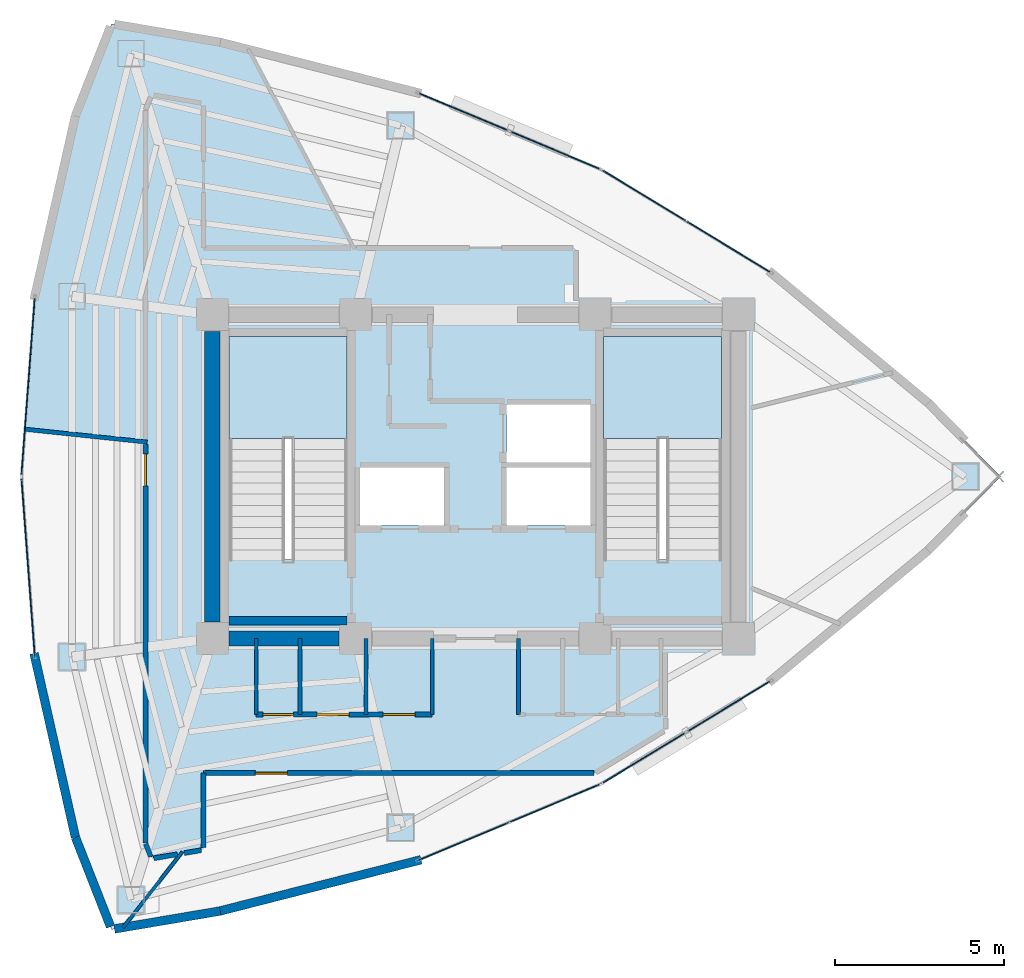
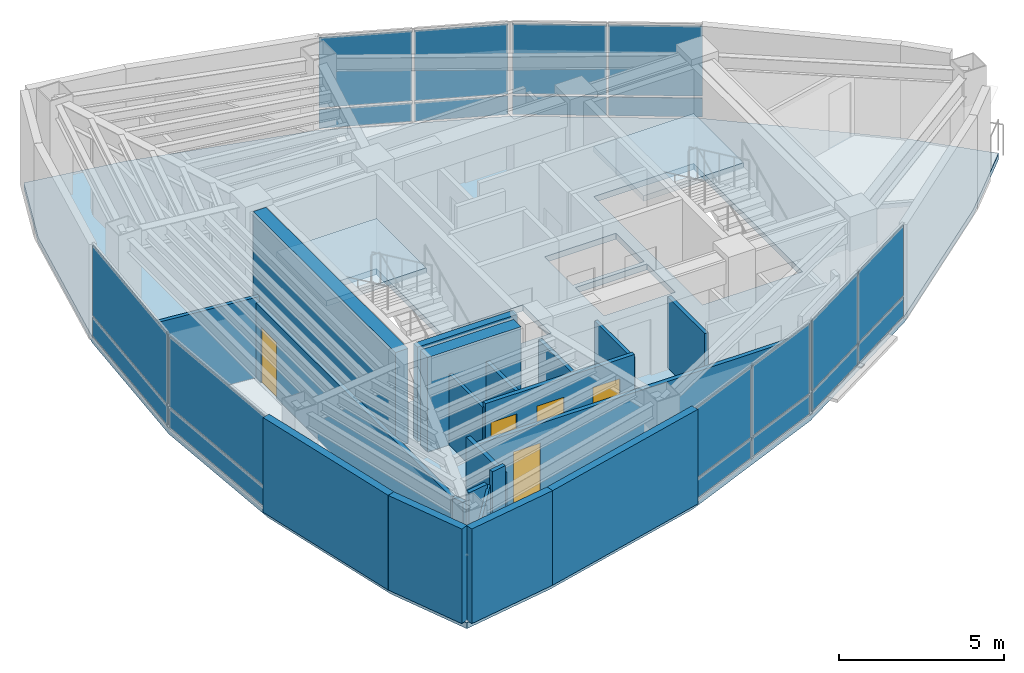
# One storey, part 11 of 15: 21 walls, 20 plates, 5 doors, 3 slabs, 5 openings, 8 elements without a shape of their own.
"""IFC4 building model written with IfcOpenShell, lengths in metres."""

import ifcopenshell
import ifcopenshell.guid

model = None  # the IFC model being written
_history = None  # IfcOwnerHistory: only IFC2X3 demands one
_inside = {}  # id of a spatial element -> (the spatial element, [elements in it])
_under = {}  # id of a project, library or spatial element -> (it, [spatial elements below it])
_declared = {}  # id of a project -> (the project, [libraries it declares])
_typed = {}  # id of a type object -> (the type object, [elements of that type])
_made_of = {}  # id of a material, layer set ... -> (it, [elements and type objects made of it])


def new_model(schema):
    """Start an empty IFC model of exactly this schema.

    Asked for "IFC4X3", IfcOpenShell would pick the latest addendum, in which some entities
    have other attributes; the version numbers below select the first issue.
    IFC2X3 requires an IfcOwnerHistory on every rooted entity: one is made here for all.
    """
    global model, _history
    if schema == "IFC4X3":
        model = ifcopenshell.file(schema_version=(4, 3, 0, 0))
    else:
        model = ifcopenshell.file(schema=schema)
    _inside.clear()
    _under.clear()
    _declared.clear()
    _typed.clear()
    _made_of.clear()
    _history = None
    if model.schema == "IFC2X3":
        org = make("IfcOrganization", Name="unknown")
        user = make(
            "IfcPersonAndOrganization",
            ThePerson=make("IfcPerson", FamilyName="unknown"),
            TheOrganization=org,
        )
        app = make(
            "IfcApplication",
            ApplicationDeveloper=org,
            Version="unknown",
            ApplicationFullName="unknown",
            ApplicationIdentifier="unknown",
        )
        _history = make(
            "IfcOwnerHistory",
            OwningUser=user,
            OwningApplication=app,
            ChangeAction="ADDED",
            CreationDate=0,
        )
    return model


def make(cls, **values):
    """One entity of the class cls with the attributes given. An attribute that is None is left unset."""
    return model.create_entity(
        cls, **{name: value for name, value in values.items() if value is not None}
    )


def rooted(cls, **values):
    """An entity with a GlobalId (a new one), such as an element, a storey or a relation."""
    return make(cls, GlobalId=ifcopenshell.guid.new(), OwnerHistory=_history, **values)


def si_unit(unit_type, name, prefix=None):
    """IfcSIUnit, for example si_unit("LENGTHUNIT", "METRE", prefix="MILLI")."""
    return make("IfcSIUnit", UnitType=unit_type, Prefix=prefix, Name=name)


def assignment(units):
    """IfcUnitAssignment: the units of a project."""
    return None if units is None else make("IfcUnitAssignment", Units=units)


def point(xyz):
    """IfcCartesianPoint."""
    return None if xyz is None else make("IfcCartesianPoint", Coordinates=xyz)


def direction(xyz):
    """IfcDirection."""
    return None if xyz is None else make("IfcDirection", DirectionRatios=xyz)


def frame(location, z_axis=None, x_axis=None):
    """IfcAxis2Placement3D, a coordinate frame: its origin and axes. An axis left out is left unset."""
    return make(
        "IfcAxis2Placement3D",
        Location=point(location),
        Axis=direction(z_axis),
        RefDirection=direction(x_axis),
    )


def frame_2d(location, x_axis=None):
    """IfcAxis2Placement2D, a coordinate frame in the plane: its origin and x axis."""
    return make(
        "IfcAxis2Placement2D", Location=point(location), RefDirection=direction(x_axis)
    )


def origin():
    """The frame at (0, 0, 0) with its axes left unset."""
    return frame((0.0, 0.0, 0.0))


def origin_2d():
    """The frame at (0, 0) in the plane with its x axis left unset."""
    return frame_2d((0.0, 0.0))


def place(relative_to, where):
    """IfcLocalPlacement: puts the frame where relative to a parent placement (None: the world)."""
    return make(
        "IfcLocalPlacement", PlacementRelTo=relative_to, RelativePlacement=where
    )


def context(
    kind, dimensions, precision=None, world=None, true_north=None, identifier=None
):
    """IfcGeometricRepresentationContext, for example the 3D "Model" context."""
    return make(
        "IfcGeometricRepresentationContext",
        ContextIdentifier=identifier,
        ContextType=kind,
        CoordinateSpaceDimension=dimensions,
        Precision=precision,
        WorldCoordinateSystem=world,
        TrueNorth=true_north,
    )


def subcontext(parent, identifier, kind, view, scale=None):
    """IfcGeometricRepresentationSubContext, for example "Body" below "Model"."""
    return make(
        "IfcGeometricRepresentationSubContext",
        ContextIdentifier=identifier,
        ContextType=kind,
        ParentContext=parent,
        TargetScale=scale,
        TargetView=view,
    )


def project(units=None, contexts=None):
    """IfcProject with its units and contexts."""
    return rooted(
        "IfcProject",
        Name="project",
        RepresentationContexts=contexts,
        UnitsInContext=assignment(units),
    )


def spatial(cls, under=None, at=None, **own):
    """A site, building, storey or space (cls), placed at a placement, below another one or the project."""
    s = rooted(cls, ObjectPlacement=at, **own)
    if under is not None:
        _under.setdefault(under.id(), (under, []))[1].append(s)
    return s


def polyline(points):
    """IfcPolyline through the points."""
    return make("IfcPolyline", Points=[point(p) for p in points])


def profile(cls, at=None, kind="AREA", **sizes):
    """A parametric profile (cls). Its sizes go by their IFC names, for example OverallWidth=200.0."""
    return make(cls, ProfileType=kind, Position=at, **sizes)


def rectangle(**sizes):
    """IfcRectangleProfileDef."""
    return profile("IfcRectangleProfileDef", **sizes)


def outline(outer, holes=None, kind="AREA"):
    """IfcArbitraryClosedProfileDef: a profile drawn as a closed curve; with holes, ...WithVoids."""
    if holes is None:
        return make("IfcArbitraryClosedProfileDef", ProfileType=kind, OuterCurve=outer)
    return make(
        "IfcArbitraryProfileDefWithVoids",
        ProfileType=kind,
        OuterCurve=outer,
        InnerCurves=holes,
    )


def extrude(swept, where, along, depth):
    """IfcExtrudedAreaSolid: the profile swept, set in the frame where, extruded along a direction by depth."""
    return make(
        "IfcExtrudedAreaSolid",
        SweptArea=swept,
        Position=where,
        ExtrudedDirection=direction(along),
        Depth=depth,
    )


def shape(context_of_items, identifier, shape_type, items):
    """IfcShapeRepresentation: the items that make up one representation, for example the "Body"."""
    return make(
        "IfcShapeRepresentation",
        ContextOfItems=context_of_items,
        RepresentationIdentifier=identifier,
        RepresentationType=shape_type,
        Items=items,
    )


def material(Name=None, Category=None):
    """IfcMaterial."""
    return make("IfcMaterial", Name=Name, Category=Category)


def layer(
    of_material, thickness, ventilated=None, Name=None, Category=None, Priority=None
):
    """IfcMaterialLayer: one layer of a wall or slab, of a material (None: an air gap)."""
    return make(
        "IfcMaterialLayer",
        Material=of_material,
        LayerThickness=thickness,
        IsVentilated=ventilated,
        Name=Name,
        Category=Category,
        Priority=Priority,
    )


def layer_set(layers, Name=None):
    """IfcMaterialLayerSet."""
    return make("IfcMaterialLayerSet", MaterialLayers=layers, LayerSetName=Name)


def made_of(thing, what):
    """Note that an element or type object is made of a material, layer set ...; save() writes the relation."""
    if what is not None:
        _made_of.setdefault(what.id(), (what, []))[1].append(thing)
    return thing


def type_object(cls, material=None, **own):
    """A type object (cls), such as IfcWallType, which elements share."""
    return made_of(rooted(cls, **own), material)


def element(
    cls,
    number,
    at=None,
    inside=None,
    cuts=None,
    type_object=None,
    material=None,
    context=None,
    identifier="Body",
    shape_type=None,
    held_by="IfcProductDefinitionShape",
    body=None,
    shapes=None,
    **own,
):
    """One element of the class cls, such as IfcWall. Its Tag is "e" and its number.

    at: its placement. inside: the storey or other place that contains it. cuts: it is an
    opening in that element (IfcRelVoidsElement). A single representation is given by context,
    identifier, shape_type and body (its items); several are given by shapes. held_by: the class
    of the entity that holds the representations. save() writes the other relations.
    """
    e = rooted(cls, Tag="e%d" % number, ObjectPlacement=at, **own)
    if body is not None:
        shapes = [shape(context, identifier, shape_type, body)]
    if shapes is not None:
        e.Representation = make(held_by, Representations=shapes)
    if inside is not None:
        _inside.setdefault(inside.id(), (inside, []))[1].append(e)
    if cuts is not None:
        rooted(
            "IfcRelVoidsElement", RelatingBuildingElement=cuts, RelatedOpeningElement=e
        )
    if type_object is not None:
        _typed.setdefault(type_object.id(), (type_object, []))[1].append(e)
    return made_of(e, material)


def fill(opening, filler):
    """IfcRelFillsElement: the door or window that sits in an opening."""
    return rooted(
        "IfcRelFillsElement",
        RelatingOpeningElement=opening,
        RelatedBuildingElement=filler,
    )


def aggregate(whole, parts):
    """IfcRelAggregates: a whole, such as a stair, and the parts it consists of."""
    return rooted("IfcRelAggregates", RelatingObject=whole, RelatedObjects=parts)


def save(model, path):
    """Write the relations noted so far, then the file.

    IfcRelAggregates (storeys below a building ...), IfcRelContainedInSpatialStructure (elements
    in a storey), IfcRelDefinesByType, IfcRelAssociatesMaterial and IfcRelDeclares: one each for
    every whole, place, type object, material and project.
    """
    for whole, parts in _under.values():
        aggregate(whole, parts)
    for where, things in _inside.values():
        rooted(
            "IfcRelContainedInSpatialStructure",
            RelatedElements=things,
            RelatingStructure=where,
        )
    for kind, things in _typed.values():
        rooted("IfcRelDefinesByType", RelatedObjects=things, RelatingType=kind)
    for what, things in _made_of.values():
        rooted("IfcRelAssociatesMaterial", RelatedObjects=things, RelatingMaterial=what)
    for by, libraries in _declared.values():
        rooted("IfcRelDeclares", RelatingContext=by, RelatedDefinitions=libraries)
    model.write(path)


model = new_model("IFC4")

# Units and contexts
model_context = context("Model", 3, precision=1e-05, world=origin(), true_north=direction((0.0, 1.0)))
body_context = subcontext(model_context, "Body", "Model", "MODEL_VIEW")
ifc_project = project(units=[si_unit("LENGTHUNIT", "METRE"), si_unit("AREAUNIT", "SQUARE_METRE"), si_unit("VOLUMEUNIT", "CUBIC_METRE"), si_unit("PLANEANGLEUNIT", "RADIAN"), si_unit("MASSUNIT", "GRAM", prefix="KILO")], contexts=[model_context])

# Site, building, storey
site_placement = place(None, origin())
site = spatial("IfcSite", under=ifc_project, at=site_placement, CompositionType="ELEMENT")
building_placement = place(site_placement, origin())
building = spatial("IfcBuilding", under=site, at=building_placement, Name="Menara Vayukalpa", CompositionType="ELEMENT")
storey_placement = place(building_placement, frame((0.0, 0.0, 254.580078125)))
storey = spatial("IfcBuildingStorey", under=building, at=storey_placement, Name="L64", CompositionType="ELEMENT", Elevation=254.580078125)

# Curtain wall, plates
ifc_material_1 = material(Name="Anodised Terracotta Aluminium Alloy 6063-T6", Category="masonry")
ifc_layer_1 = layer(ifc_material_1, 0.1650390625)
ifc_layer_set_1 = layer_set([ifc_layer_1], Name="Anodised Terracotta Aluminium Alloy 6063-T6")
curtain_wall_type = type_object("IfcCurtainWallType", Name="CW-CW6", PredefinedType="USERDEFINED", material=ifc_layer_set_1)
curtain_wall_1_placement = place(storey_placement, origin())
curtain_wall_1 = element("IfcCurtainWall", 1, at=curtain_wall_1_placement, inside=storey, type_object=curtain_wall_type, Name="L64 Observation and Executive Curtain Wall CW6 04", ObjectType="UNITISED", PredefinedType="USERDEFINED")
ifc_material_2 = material(Name="Low-E Double Glazing", Category="glass")
ifc_layer_2 = layer(ifc_material_2, 0.033935546875)
ifc_layer_set_2 = layer_set([ifc_layer_2], Name="Low-E Double Glazing")
plate_type = type_object("IfcPlateType", Name="CWP-CW6", PredefinedType="CURTAIN_PANEL", material=ifc_layer_set_2)
plate_1_placement = place(storey_placement, frame((33.102783203125, 28.814208984375, 0.074951171875), z_axis=(0.0, 0.0, 1.0), x_axis=(-0.854667609532, 0.519175574558, 0.0)))
plate_1 = element("IfcPlate", 2, at=plate_1_placement, type_object=plate_type, Name="CW6 panel 1.1", PredefinedType="CURTAIN_PANEL", context=body_context, shape_type="SweptSolid", body=[
    extrude(rectangle(XDim=2.8486328125, YDim=0.033935546875, at=origin_2d()), origin(), (0.0, 0.0, 1.0), 0.6875),
])
plate_2_placement = place(storey_placement, frame((33.102783203125, 28.814208984375, 0.83740234375), z_axis=(0.0, 0.0, 1.0), x_axis=(-0.854667609532, 0.519175574558, 0.0)))
plate_2 = element("IfcPlate", 3, at=plate_2_placement, type_object=plate_type, Name="CW6 panel 1.2", PredefinedType="CURTAIN_PANEL", context=body_context, shape_type="SweptSolid", body=[
    extrude(rectangle(XDim=2.8486328125, YDim=0.033935546875, at=origin_2d()), origin(), (0.0, 0.0, 1.0), 2.58740234375),
])
plate_3_placement = place(storey_placement, frame((30.608154296875, 30.329345703125, 0.074951171875), z_axis=(0.0, 0.0, 1.0), x_axis=(-0.854667609532, 0.519175574558, 0.0)))
plate_3 = element("IfcPlate", 4, at=plate_3_placement, type_object=plate_type, Name="CW6 panel 2.1", PredefinedType="CURTAIN_PANEL", context=body_context, shape_type="SweptSolid", body=[
    extrude(rectangle(XDim=2.8486328125, YDim=0.033935546875, at=origin_2d()), origin(), (0.0, 0.0, 1.0), 0.6875),
])
plate_4_placement = place(storey_placement, frame((30.608154296875, 30.329345703125, 0.83740234375), z_axis=(0.0, 0.0, 1.0), x_axis=(-0.854667609532, 0.519175574558, 0.0)))
plate_4 = element("IfcPlate", 5, at=plate_4_placement, type_object=plate_type, Name="CW6 panel 2.2", PredefinedType="CURTAIN_PANEL", context=body_context, shape_type="SweptSolid", body=[
    extrude(rectangle(XDim=2.8486328125, YDim=0.033935546875, at=origin_2d()), origin(), (0.0, 0.0, 1.0), 2.58740234375),
])
aggregate(curtain_wall_1, [plate_1, plate_2, plate_3, plate_4])

curtain_wall_2_placement = place(storey_placement, origin())
curtain_wall_2 = element("IfcCurtainWall", 6, at=curtain_wall_2_placement, inside=storey, type_object=curtain_wall_type, Name="L64 Observation and Executive Curtain Wall CW6 05", ObjectType="UNITISED", PredefinedType="USERDEFINED")
plate_5_placement = place(storey_placement, frame((27.952392578125, 31.681884765625, 0.074951171875), z_axis=(0.0, 0.0, 1.0), x_axis=(-0.922540653927, 0.385899911703, 0.0)))
plate_5 = element("IfcPlate", 7, at=plate_5_placement, type_object=plate_type, Name="CW6 panel 1.1", PredefinedType="CURTAIN_PANEL", context=body_context, shape_type="SweptSolid", body=[
    extrude(rectangle(XDim=2.8486328125, YDim=0.033935546875, at=origin_2d()), origin(), (0.0, 0.0, 1.0), 0.6875),
])
plate_6_placement = place(storey_placement, frame((27.952392578125, 31.681884765625, 0.83740234375), z_axis=(0.0, 0.0, 1.0), x_axis=(-0.922540653927, 0.385899911703, 0.0)))
plate_6 = element("IfcPlate", 8, at=plate_6_placement, type_object=plate_type, Name="CW6 panel 1.2", PredefinedType="CURTAIN_PANEL", context=body_context, shape_type="SweptSolid", body=[
    extrude(rectangle(XDim=2.8486328125, YDim=0.033935546875, at=origin_2d()), origin(), (0.0, 0.0, 1.0), 2.58740234375),
])
plate_7_placement = place(storey_placement, frame((25.259765625, 32.808349609375, 0.074951171875), z_axis=(0.0, 0.0, 1.0), x_axis=(-0.922540653927, 0.385899911703, 0.0)))
plate_7 = element("IfcPlate", 9, at=plate_7_placement, type_object=plate_type, Name="CW6 panel 2.1", PredefinedType="CURTAIN_PANEL", context=body_context, shape_type="SweptSolid", body=[
    extrude(rectangle(XDim=2.8486328125, YDim=0.033935546875, at=origin_2d()), origin(), (0.0, 0.0, 1.0), 0.6875),
])
plate_8_placement = place(storey_placement, frame((25.259765625, 32.808349609375, 0.83740234375), z_axis=(0.0, 0.0, 1.0), x_axis=(-0.922540653927, 0.385899911703, 0.0)))
plate_8 = element("IfcPlate", 10, at=plate_8_placement, type_object=plate_type, Name="CW6 panel 2.2", PredefinedType="CURTAIN_PANEL", context=body_context, shape_type="SweptSolid", body=[
    extrude(rectangle(XDim=2.8486328125, YDim=0.033935546875, at=origin_2d()), origin(), (0.0, 0.0, 1.0), 2.58740234375),
])
aggregate(curtain_wall_2, [plate_5, plate_6, plate_7, plate_8])

curtain_wall_3_placement = place(storey_placement, origin())
curtain_wall_3 = element("IfcCurtainWall", 11, at=curtain_wall_3_placement, inside=storey, type_object=curtain_wall_type, Name="L64 Observation and Executive Curtain Wall CW6 10", ObjectType="UNITISED", PredefinedType="USERDEFINED")
plate_9_placement = place(storey_placement, frame((12.33837890625, 24.67333984375, 0.074951171875), z_axis=(0.0, 0.0, 1.0), x_axis=(-0.074789484574, -0.997199344663, 0.0)))
plate_9 = element("IfcPlate", 12, at=plate_9_placement, type_object=plate_type, Name="CW6 panel 1.1", PredefinedType="CURTAIN_PANEL", context=body_context, shape_type="SweptSolid", body=[
    extrude(rectangle(XDim=5.2216796875, YDim=0.033935546875, at=origin_2d()), origin(), (0.0, 0.0, 1.0), 0.6875),
])
plate_10_placement = place(storey_placement, frame((12.33837890625, 24.67333984375, 0.83740234375), z_axis=(0.0, 0.0, 1.0), x_axis=(-0.074789484574, -0.997199344663, 0.0)))
plate_10 = element("IfcPlate", 13, at=plate_10_placement, type_object=plate_type, Name="CW6 panel 1.2", PredefinedType="CURTAIN_PANEL", context=body_context, shape_type="SweptSolid", body=[
    extrude(rectangle(XDim=5.2216796875, YDim=0.033935546875, at=origin_2d()), origin(), (0.0, 0.0, 1.0), 2.58740234375),
])
aggregate(curtain_wall_3, [plate_9, plate_10])

curtain_wall_4_placement = place(storey_placement, origin())
curtain_wall_4 = element("IfcCurtainWall", 14, at=curtain_wall_4_placement, inside=storey, type_object=curtain_wall_type, Name="L64 Observation and Executive Curtain Wall CW6 11", ObjectType="UNITISED", PredefinedType="USERDEFINED")
plate_11_placement = place(storey_placement, frame((12.33837890625, 19.32666015625, 0.074951171875), z_axis=(0.0, 0.0, 1.0), x_axis=(0.074789484574, -0.997199344663, 0.0)))
plate_11 = element("IfcPlate", 15, at=plate_11_placement, type_object=plate_type, Name="CW6 panel 1.1", PredefinedType="CURTAIN_PANEL", context=body_context, shape_type="SweptSolid", body=[
    extrude(rectangle(XDim=5.2216796875, YDim=0.033935546875, at=origin_2d()), origin(), (0.0, 0.0, 1.0), 0.6875),
])
plate_12_placement = place(storey_placement, frame((12.33837890625, 19.32666015625, 0.83740234375), z_axis=(0.0, 0.0, 1.0), x_axis=(0.074789484574, -0.997199344663, 0.0)))
plate_12 = element("IfcPlate", 16, at=plate_12_placement, type_object=plate_type, Name="CW6 panel 1.2", PredefinedType="CURTAIN_PANEL", context=body_context, shape_type="SweptSolid", body=[
    extrude(rectangle(XDim=5.2216796875, YDim=0.033935546875, at=origin_2d()), origin(), (0.0, 0.0, 1.0), 2.58740234375),
])
aggregate(curtain_wall_4, [plate_11, plate_12])

curtain_wall_5_placement = place(storey_placement, origin())
curtain_wall_5 = element("IfcCurtainWall", 17, at=curtain_wall_5_placement, inside=storey, type_object=curtain_wall_type, Name="L64 Observation and Executive Curtain Wall CW6 16", ObjectType="UNITISED", PredefinedType="USERDEFINED")
plate_13_placement = place(storey_placement, frame((25.259765625, 11.191650390625, 0.074951171875), z_axis=(0.0, 0.0, 1.0), x_axis=(0.922540653927, 0.385899911703, 0.0)))
plate_13 = element("IfcPlate", 18, at=plate_13_placement, type_object=plate_type, Name="CW6 panel 1.1", PredefinedType="CURTAIN_PANEL", context=body_context, shape_type="SweptSolid", body=[
    extrude(rectangle(XDim=2.8486328125, YDim=0.033935546875, at=origin_2d()), origin(), (0.0, 0.0, 1.0), 0.6875),
])
plate_14_placement = place(storey_placement, frame((25.259765625, 11.191650390625, 0.83740234375), z_axis=(0.0, 0.0, 1.0), x_axis=(0.922540653927, 0.385899911703, 0.0)))
plate_14 = element("IfcPlate", 19, at=plate_14_placement, type_object=plate_type, Name="CW6 panel 1.2", PredefinedType="CURTAIN_PANEL", context=body_context, shape_type="SweptSolid", body=[
    extrude(rectangle(XDim=2.8486328125, YDim=0.033935546875, at=origin_2d()), origin(), (0.0, 0.0, 1.0), 2.58740234375),
])
plate_15_placement = place(storey_placement, frame((27.952392578125, 12.318115234375, 0.074951171875), z_axis=(0.0, 0.0, 1.0), x_axis=(0.922540653927, 0.385899911703, 0.0)))
plate_15 = element("IfcPlate", 20, at=plate_15_placement, type_object=plate_type, Name="CW6 panel 2.1", PredefinedType="CURTAIN_PANEL", context=body_context, shape_type="SweptSolid", body=[
    extrude(rectangle(XDim=2.8486328125, YDim=0.033935546875, at=origin_2d()), origin(), (0.0, 0.0, 1.0), 0.6875),
])
plate_16_placement = place(storey_placement, frame((27.952392578125, 12.318115234375, 0.83740234375), z_axis=(0.0, 0.0, 1.0), x_axis=(0.922540653927, 0.385899911703, 0.0)))
plate_16 = element("IfcPlate", 21, at=plate_16_placement, type_object=plate_type, Name="CW6 panel 2.2", PredefinedType="CURTAIN_PANEL", context=body_context, shape_type="SweptSolid", body=[
    extrude(rectangle(XDim=2.8486328125, YDim=0.033935546875, at=origin_2d()), origin(), (0.0, 0.0, 1.0), 2.58740234375),
])
aggregate(curtain_wall_5, [plate_13, plate_14, plate_15, plate_16])

curtain_wall_6_placement = place(storey_placement, origin())
curtain_wall_6 = element("IfcCurtainWall", 22, at=curtain_wall_6_placement, inside=storey, type_object=curtain_wall_type, Name="L64 Observation and Executive Curtain Wall CW6 17", ObjectType="UNITISED", PredefinedType="USERDEFINED")
plate_17_placement = place(storey_placement, frame((30.608154296875, 13.670654296875, 0.074951171875), z_axis=(0.0, 0.0, 1.0), x_axis=(0.854667609532, 0.519175574558, 0.0)))
plate_17 = element("IfcPlate", 23, at=plate_17_placement, type_object=plate_type, Name="CW6 panel 1.1", PredefinedType="CURTAIN_PANEL", context=body_context, shape_type="SweptSolid", body=[
    extrude(rectangle(XDim=2.8486328125, YDim=0.033935546875, at=origin_2d()), origin(), (0.0, 0.0, 1.0), 0.6875),
])
plate_18_placement = place(storey_placement, frame((30.608154296875, 13.670654296875, 0.83740234375), z_axis=(0.0, 0.0, 1.0), x_axis=(0.854667609532, 0.519175574558, 0.0)))
plate_18 = element("IfcPlate", 24, at=plate_18_placement, type_object=plate_type, Name="CW6 panel 1.2", PredefinedType="CURTAIN_PANEL", context=body_context, shape_type="SweptSolid", body=[
    extrude(rectangle(XDim=2.8486328125, YDim=0.033935546875, at=origin_2d()), origin(), (0.0, 0.0, 1.0), 2.58740234375),
])
plate_19_placement = place(storey_placement, frame((33.102783203125, 15.185791015625, 0.074951171875), z_axis=(0.0, 0.0, 1.0), x_axis=(0.854667609532, 0.519175574558, 0.0)))
plate_19 = element("IfcPlate", 25, at=plate_19_placement, type_object=plate_type, Name="CW6 panel 2.1", PredefinedType="CURTAIN_PANEL", context=body_context, shape_type="SweptSolid", body=[
    extrude(rectangle(XDim=2.8486328125, YDim=0.033935546875, at=origin_2d()), origin(), (0.0, 0.0, 1.0), 0.6875),
])
plate_20_placement = place(storey_placement, frame((33.102783203125, 15.185791015625, 0.83740234375), z_axis=(0.0, 0.0, 1.0), x_axis=(0.854667609532, 0.519175574558, 0.0)))
plate_20 = element("IfcPlate", 26, at=plate_20_placement, type_object=plate_type, Name="CW6 panel 2.2", PredefinedType="CURTAIN_PANEL", context=body_context, shape_type="SweptSolid", body=[
    extrude(rectangle(XDim=2.8486328125, YDim=0.033935546875, at=origin_2d()), origin(), (0.0, 0.0, 1.0), 2.58740234375),
])
aggregate(curtain_wall_6, [plate_17, plate_18, plate_19, plate_20])

# Slab
ifc_material_3 = material(Name="Concrete C40/50", Category="concrete")
ifc_layer_3 = layer(ifc_material_3, 0.219970703125)
ifc_layer_set_3 = layer_set([ifc_layer_3], Name="Concrete C40/50")
slab_type_1 = type_object("IfcSlabType", Name="SLB-FL220", PredefinedType="FLOOR", material=ifc_layer_set_3)
slab_1_placement = place(storey_placement, frame((0.0, 0.0, -0.219970703125)))
element("IfcSlab", 27, at=slab_1_placement, inside=storey, type_object=slab_type_1, Name="L64 Structural Floor Slab", PredefinedType="FLOOR", context=body_context, shape_type="SweptSolid", body=[
    extrude(outline(polyline([(39.02783203125, 19.816162109375), (41.171875, 22.0), (39.02783203125, 24.183837890625), (34.3798828125, 28.038330078125), (29.3310546875, 31.105224609375), (23.881103515625, 33.385009765625), (18.0302734375, 34.877197265625), (14.814208984375, 35.423095703125), (13.741943359375, 32.693359375), (12.5390625, 27.3466796875), (12.137939453125, 22.0), (12.5390625, 16.6533203125), (13.741943359375, 11.306640625), (14.814208984375, 8.576904296875), (18.0302734375, 9.122802734375), (23.881103515625, 10.614990234375), (29.3310546875, 12.894775390625), (34.3798828125, 15.961669921875), (39.02783203125, 19.816162109375)]), holes=[polyline([(21.800048828125, 19.550048828125), (21.800048828125, 26.14990234375), (18.300048828125, 26.14990234375), (18.300048828125, 19.550048828125), (21.800048828125, 19.550048828125)]), polyline([(32.89990234375, 19.550048828125), (32.89990234375, 26.14990234375), (29.39990234375, 26.14990234375), (29.39990234375, 19.550048828125), (32.89990234375, 19.550048828125)]), polyline([(22.179931640625, 20.550048828125), (24.679931640625, 20.550048828125), (24.679931640625, 22.27001953125), (22.179931640625, 22.27001953125), (22.179931640625, 20.550048828125)]), polyline([(26.52001953125, 20.550048828125), (29.02001953125, 20.550048828125), (29.02001953125, 22.27001953125), (26.52001953125, 22.27001953125), (26.52001953125, 20.550048828125)]), polyline([(26.52001953125, 22.419921875), (29.02001953125, 22.419921875), (29.02001953125, 24.139892578125), (26.52001953125, 24.139892578125), (26.52001953125, 22.419921875)])]), origin(), (0.0, 0.0, 1.0), 0.219970703125),
])

# Stair, slab
ifc_material_4 = material(Name="Precast Concrete C40/50", Category="concrete")
stair_type = type_object("IfcStairType", Name="STR-T04", PredefinedType="DOUBLE_RETURN_STAIR", material=ifc_material_4)
stair_1_placement = place(storey_placement, origin())
stair_1 = element("IfcStair", 28, at=stair_1_placement, inside=storey, type_object=stair_type, Name="L64 Core Exit Stair ST-1", PredefinedType="DOUBLE_RETURN_STAIR")
ifc_material_5 = material(Name="Precast Concrete C40/50", Category="concrete")
ifc_layer_4 = layer(ifc_material_5, 0.199951171875)
ifc_layer_set_4 = layer_set([ifc_layer_4], Name="Precast Concrete C40/50")
slab_type_2 = type_object("IfcSlabType", Name="SLB-LND200", PredefinedType="LANDING", material=ifc_layer_set_4)
slab_2_placement = place(storey_placement, frame((0.0, 0.0, 1.659912109375)))
slab_2 = element("IfcSlab", 29, at=slab_2_placement, type_object=slab_type_2, Name="ST-1 landing 1", PredefinedType="LANDING", context=body_context, shape_type="SweptSolid", body=[
    extrude(outline(polyline([(21.800048828125, 23.1298828125), (21.800048828125, 26.14990234375), (18.300048828125, 26.14990234375), (18.300048828125, 23.1298828125), (21.800048828125, 23.1298828125)])), origin(), (0.0, 0.0, 1.0), 0.199951171875),
])
aggregate(stair_1, [slab_2])

stair_2_placement = place(storey_placement, origin())
stair_2 = element("IfcStair", 30, at=stair_2_placement, inside=storey, type_object=stair_type, Name="L64 Core Exit Stair ST-2", PredefinedType="DOUBLE_RETURN_STAIR")
slab_3_placement = place(storey_placement, frame((0.0, 0.0, 1.659912109375)))
slab_3 = element("IfcSlab", 31, at=slab_3_placement, type_object=slab_type_2, Name="ST-2 landing 1", PredefinedType="LANDING", context=body_context, shape_type="SweptSolid", body=[
    extrude(outline(polyline([(32.89990234375, 23.1298828125), (32.89990234375, 26.14990234375), (29.39990234375, 26.14990234375), (29.39990234375, 23.1298828125), (32.89990234375, 23.1298828125)])), origin(), (0.0, 0.0, 1.0), 0.199951171875),
])
aggregate(stair_2, [slab_3])

# Walls
ifc_material_6 = material(Name="Concrete C50/60", Category="concrete")
ifc_layer_5 = layer(ifc_material_6, 0.449951171875)
ifc_layer_set_5 = layer_set([ifc_layer_5], Name="Concrete C50/60")
wall_type_1 = type_object("IfcWallType", Name="WAL-CW450", PredefinedType="SHEAR", material=ifc_layer_set_5)
wall_1_placement = place(storey_placement, frame((18.294921875, 17.199951171875, 0.0), z_axis=(0.0, 0.0, 1.0), x_axis=(1.0, 0.0, 0.0)))
element("IfcWall", 32, at=wall_1_placement, inside=storey, type_object=wall_type_1, Name="L64 Buttressed Core Shear Wall CWS1", PredefinedType="SHEAR", context=body_context, shape_type="SweptSolid", body=[
    extrude(rectangle(XDim=3.260009765625, YDim=0.449951171875, at=frame_2d((1.6298828125, 0.0))), origin(), (0.0, 0.0, 1.0), 3.5),
])
wall_2_placement = place(storey_placement, frame((17.800048828125, 17.695068359375, 0.0), z_axis=(0.0, 0.0, 1.0), x_axis=(0.0, 1.0, 0.0)))
element("IfcWall", 33, at=wall_2_placement, inside=storey, type_object=wall_type_1, Name="L64 Buttressed Core Shear Wall CWW1", PredefinedType="SHEAR", context=body_context, shape_type="SweptSolid", body=[
    extrude(rectangle(XDim=8.60986328125, YDim=0.449951171875, at=frame_2d((4.304931640625, 0.0))), origin(), (0.0, 0.0, 1.0), 3.5),
])
ifc_material_7 = material(Name="Insulated Precast Concrete C40/50", Category="concrete")
ifc_layer_6 = layer(ifc_material_7, 0.260009765625)
ifc_layer_set_6 = layer_set([ifc_layer_6], Name="Insulated Precast Concrete C40/50")
wall_type_2 = type_object("IfcWallType", Name="WAL-EXT260", PredefinedType="PARTITIONING", material=ifc_layer_set_6)
wall_3_placement = place(storey_placement, frame((13.741943359375, 11.306640625, 0.0), z_axis=(0.0, 0.0, 1.0), x_axis=(-0.219500763731, 0.97561232809, 0.0)))
element("IfcWall", 34, at=wall_3_placement, inside=storey, type_object=wall_type_2, Name="L64 Perimeter Terracotta Pier Wall 12", PredefinedType="PARTITIONING", context=body_context, shape_type="SweptSolid", body=[
    extrude(rectangle(XDim=5.590087890625, YDim=0.260009765625, at=frame_2d((2.794921875, 0.0))), origin(), (0.0, 0.0, 1.0), 3.5),
])
wall_4_placement = place(storey_placement, frame((14.7822265625, 8.658203125, 0.0), z_axis=(0.0, 0.0, 1.0), x_axis=(-0.36559927932, 0.930772349697, 0.0)))
element("IfcWall", 35, at=wall_4_placement, inside=storey, type_object=wall_type_2, Name="L64 Perimeter Terracotta Pier Wall 13", PredefinedType="PARTITIONING", context=body_context, shape_type="SweptSolid", body=[
    extrude(rectangle(XDim=2.845458984375, YDim=0.260009765625, at=frame_2d((1.4228515625, 0.0))), origin(), (0.0, 0.0, 1.0), 3.5),
])
wall_5_placement = place(storey_placement, frame((18.0361328125, 9.123779296875, 0.0), z_axis=(0.0, 0.0, 1.0), x_axis=(-0.985889432766, -0.167397808709, 0.0)))
element("IfcWall", 36, at=wall_5_placement, inside=storey, type_object=wall_type_2, Name="L64 Perimeter Terracotta Pier Wall 14", PredefinedType="PARTITIONING", context=body_context, shape_type="SweptSolid", body=[
    extrude(rectangle(XDim=3.180908203125, YDim=0.260009765625, at=frame_2d((1.59033203125, 0.0))), origin(), (0.0, 0.0, 1.0), 3.5),
])
wall_6_placement = place(storey_placement, frame((23.98779296875, 10.64208984375, 0.0), z_axis=(0.0, 0.0, 1.0), x_axis=(-0.968988278672, -0.247106689096, 0.0)))
element("IfcWall", 37, at=wall_6_placement, inside=storey, type_object=wall_type_2, Name="L64 Perimeter Terracotta Pier Wall 15", PredefinedType="PARTITIONING", context=body_context, shape_type="SweptSolid", body=[
    extrude(rectangle(XDim=6.154296875, YDim=0.260009765625, at=frame_2d((3.0771484375, 0.0))), origin(), (0.0, 0.0, 1.0), 3.5),
])
ifc_material_8 = material(Name="Glazed Demountable Office Partition", Category="glass")
ifc_layer_7 = layer(ifc_material_8, 0.094970703125)
ifc_layer_set_7 = layer_set([ifc_layer_7], Name="Glazed Demountable Office Partition")
wall_type_3 = type_object("IfcWallType", Name="WAL-PT100", PredefinedType="PARTITIONING", material=ifc_layer_set_7)
wall_7_placement = place(storey_placement, frame((16.91259765625, 10.880615234375, 0.0), z_axis=(0.0, 0.0, 1.0), x_axis=(-0.615662236592, -0.788010158839, 0.0)))
element("IfcWall", 38, at=wall_7_placement, inside=storey, type_object=wall_type_3, Name="L64 Interior Partition IW-L64-RDIV04", PredefinedType="PARTITIONING", context=body_context, shape_type="SweptSolid", body=[
    extrude(rectangle(XDim=2.8642578125, YDim=0.094970703125, at=frame_2d((1.43212890625, 0.0))), origin(), (0.0, 0.0, 1.0), 2.97998046875),
])
ifc_material_9 = material(Name="Acoustic Mineral Stud Partition", Category="masonry")
ifc_layer_8 = layer(ifc_material_9, 0.110107421875)
ifc_layer_set_8 = layer_set([ifc_layer_8], Name="Acoustic Mineral Stud Partition")
wall_type_4 = type_object("IfcWallType", Name="WAL-PT110", PredefinedType="PARTITIONING", material=ifc_layer_set_8)
for number, where, z_axis, x_axis, name in (
    (39, (19.10009765625, 14.949951171875, 0.0), (0.0, 0.0, 1.0), (0.0, 1.0, 0.0), "L64 Interior Partition IW-L64-SVCD-01"),
    (40, (24.320068359375, 14.949951171875, 0.0), (0.0, 0.0, 1.0), (0.0, 1.0, 0.0), "L64 Interior Partition IW-L64-SVCD-04"),
):
    element("IfcWall", number, at=place(storey_placement, frame(where, z_axis=z_axis, x_axis=x_axis)), inside=storey, type_object=wall_type_4, Name=name, PredefinedType="PARTITIONING", context=body_context, shape_type="SweptSolid", body=[
        extrude(rectangle(XDim=2.25, YDim=0.110107421875, at=frame_2d((1.125, 0.0))), origin(), (0.0, 0.0, 1.0), 2.6298828125),
    ])
ifc_material_10 = material(Name="Gypsum Drywall Steel Stud Assembly", Category="steel")
ifc_layer_9 = layer(ifc_material_10, 0.125)
ifc_layer_set_9 = layer_set([ifc_layer_9], Name="Gypsum Drywall Steel Stud Assembly")
wall_type_5 = type_object("IfcWallType", Name="WAL-PT125", PredefinedType="PARTITIONING", material=ifc_layer_set_9)
for number, where, z_axis, x_axis, name in (
    (41, (20.39990234375, 14.949951171875, 0.0), (0.0, 0.0, 1.0), (0.0, 1.0, 0.0), "L64 Interior Partition IW-L64-SVCD-02"),
    (42, (22.360107421875, 14.949951171875, 0.0), (0.0, 0.0, 1.0), (0.0, 1.0, 0.0), "L64 Interior Partition IW-L64-SVCD-03"),
    (43, (26.8798828125, 14.949951171875, 0.0), (0.0, 0.0, 1.0), (0.0, 1.0, 0.0), "L64 Interior Partition IW-L64-SVCD-05"),
):
    element("IfcWall", number, at=place(storey_placement, frame(where, z_axis=z_axis, x_axis=x_axis)), inside=storey, type_object=wall_type_5, Name=name, PredefinedType="PARTITIONING", context=body_context, shape_type="SweptSolid", body=[
        extrude(rectangle(XDim=2.25, YDim=0.125, at=frame_2d((1.125, 0.0))), origin(), (0.0, 0.0, 1.0), 2.6298828125),
    ])
wall_8_placement = place(storey_placement, frame((15.8701171875, 23.022705078125, 0.0), z_axis=(0.0, 0.0, 1.0), x_axis=(-0.994526285713, 0.104486683482, 0.0)))
element("IfcWall", 44, at=wall_8_placement, inside=storey, type_object=wall_type_5, Name="L64 Interior Partition IW-L64-RDIV03", PredefinedType="PARTITIONING", context=body_context, shape_type="SweptSolid", body=[
    extrude(rectangle(XDim=3.65673828125, YDim=0.125, at=frame_2d((1.828369140625, 0.0))), origin(), (0.0, 0.0, 1.0), 2.97998046875),
])

# Wall, openings, doors
ifc_material_11 = material(Name="Gypsum Drywall Acoustic Stud Assembly", Category="masonry")
ifc_layer_10 = layer(ifc_material_11, 0.14501953125)
ifc_layer_set_10 = layer_set([ifc_layer_10], Name="Gypsum Drywall Acoustic Stud Assembly")
wall_type_6 = type_object("IfcWallType", Name="WAL-PT150", PredefinedType="PARTITIONING", material=ifc_layer_set_10)
wall_9_placement = place(storey_placement, frame((19.10009765625, 14.949951171875, 0.0), z_axis=(0.0, 0.0, 1.0), x_axis=(1.0, 0.0, 0.0)))
wall_9 = element("IfcWall", 45, at=wall_9_placement, inside=storey, type_object=wall_type_6, Name="L64 Interior Partition IW-L64-SVCS-W", PredefinedType="PARTITIONING", context=body_context, shape_type="SweptSolid", body=[
    extrude(rectangle(XDim=5.219970703125, YDim=0.14501953125, at=frame_2d((2.60986328125, 0.0))), origin(), (0.0, 0.0, 1.0), 2.780029296875),
])
opening_1_placement = place(wall_9_placement, frame((0.199951171875, 0.0, 0.0)))
opening_1 = element("IfcOpeningElement", 46, at=opening_1_placement, cuts=wall_9, Name="Opening ID7", PredefinedType="OPENING", context=body_context, shape_type="SweptSolid", body=[
    extrude(rectangle(XDim=0.89990234375, YDim=2.02001953125, at=frame_2d((0.449951171875, 1.010009765625))), frame((0.0, 0.08251953125, 0.0), z_axis=(0.0, -1.0, 0.0), x_axis=(1.0, 0.0, 0.0)), (0.0, 0.0, 1.0), 0.1650390625),
])
opening_2_placement = place(wall_9_placement, frame((1.804931640625, 0.0, 0.0)))
opening_2 = element("IfcOpeningElement", 47, at=opening_2_placement, cuts=wall_9, Name="Opening ID5", PredefinedType="OPENING", context=body_context, shape_type="SweptSolid", body=[
    extrude(rectangle(XDim=0.949951171875, YDim=2.06005859375, at=frame_2d((0.47509765625, 1.030029296875))), frame((0.0, 0.08251953125, 0.0), z_axis=(0.0, -1.0, 0.0), x_axis=(1.0, 0.0, 0.0)), (0.0, 0.0, 1.0), 0.1650390625),
])
opening_3_placement = place(wall_9_placement, frame((3.764892578125, 0.0, 0.0)))
opening_3 = element("IfcOpeningElement", 48, at=opening_3_placement, cuts=wall_9, Name="Opening ID5", PredefinedType="OPENING", context=body_context, shape_type="SweptSolid", body=[
    extrude(rectangle(XDim=0.949951171875, YDim=2.06005859375, at=frame_2d((0.47509765625, 1.030029296875))), frame((0.0, 0.08251953125, 0.0), z_axis=(0.0, -1.0, 0.0), x_axis=(1.0, 0.0, 0.0)), (0.0, 0.0, 1.0), 0.1650390625),
])
ifc_material_12 = material(Name="Acoustic Hardwood Veneer Timber Door", Category="wood")
door_type_1 = type_object("IfcDoorType", Name="DR-INT95", OperationType="NOTDEFINED", PredefinedType="DOOR", material=ifc_material_12)
door_1_placement = place(opening_2_placement, origin())
door_1 = element("IfcDoor", 49, at=door_1_placement, inside=storey, type_object=door_type_1, Name="L64 Interior Door DR-L64-AWC", OperationType="SINGLE_SWING_RIGHT", OverallHeight=2.06005859375, OverallWidth=0.949951171875, PredefinedType="DOOR", context=body_context, shape_type="SweptSolid", body=[
    extrude(rectangle(XDim=0.949951171875, YDim=2.06005859375, at=frame_2d((0.47509765625, 1.030029296875))), frame((0.0, 0.02490234375, 0.0), z_axis=(0.0, -1.0, 0.0), x_axis=(1.0, 0.0, 0.0)), (0.0, 0.0, 1.0), 0.050048828125),
])
fill(opening_2, door_1)
door_2_placement = place(opening_3_placement, origin())
door_2 = element("IfcDoor", 50, at=door_2_placement, inside=storey, type_object=door_type_1, Name="L64 Interior Door DR-L64-SWC", OperationType="SINGLE_SWING_LEFT", OverallHeight=2.06005859375, OverallWidth=0.949951171875, PredefinedType="DOOR", context=body_context, shape_type="SweptSolid", body=[
    extrude(rectangle(XDim=0.949951171875, YDim=2.06005859375, at=frame_2d((0.47509765625, 1.030029296875))), frame((0.0, 0.02490234375, 0.0), z_axis=(0.0, -1.0, 0.0), x_axis=(1.0, 0.0, 0.0)), (0.0, 0.0, 1.0), 0.050048828125),
])
fill(opening_3, door_2)
ifc_material_13 = material(Name="Powder-Coated Steel Riser Access Door", Category="steel")
door_type_2 = type_object("IfcDoorType", Name="DR-RISER", OperationType="NOTDEFINED", PredefinedType="DOOR", material=ifc_material_13)
door_3_placement = place(opening_1_placement, origin())
door_3 = element("IfcDoor", 51, at=door_3_placement, inside=storey, type_object=door_type_2, Name="L64 Interior Door DR-L64-ELR", OperationType="SINGLE_SWING_LEFT", OverallHeight=2.02001953125, OverallWidth=0.89990234375, PredefinedType="DOOR", context=body_context, shape_type="SweptSolid", body=[
    extrude(rectangle(XDim=0.89990234375, YDim=2.02001953125, at=frame_2d((0.449951171875, 1.010009765625))), frame((0.0, 0.02490234375, 0.0), z_axis=(0.0, -1.0, 0.0), x_axis=(1.0, 0.0, 0.0)), (0.0, 0.0, 1.0), 0.050048828125),
])
fill(opening_1, door_3)

# Wall, opening, door
wall_10_placement = place(storey_placement, frame((15.820068359375, 22.95751953125, 0.0), z_axis=(0.0, 0.0, 1.0), x_axis=(0.0, -1.0, 0.0)))
wall_10 = element("IfcWall", 52, at=wall_10_placement, inside=storey, type_object=wall_type_6, Name="L64 Interior Partition IW-L64-CRM01-1", PredefinedType="PARTITIONING", context=body_context, shape_type="SweptSolid", body=[
    extrude(rectangle(XDim=11.811279296875, YDim=0.14501953125, at=frame_2d((5.90576171875, 0.0))), origin(), (0.0, 0.0, 1.0), 2.780029296875),
])
opening_4_placement = place(wall_10_placement, frame((0.280029296875, 0.0, 0.0)))
opening_4 = element("IfcOpeningElement", 53, at=opening_4_placement, cuts=wall_10, Name="Opening ID5", PredefinedType="OPENING", context=body_context, shape_type="SweptSolid", body=[
    extrude(rectangle(XDim=0.949951171875, YDim=2.06005859375, at=frame_2d((0.47509765625, 1.030029296875))), frame((0.0, 0.08251953125, 0.0), z_axis=(0.0, -1.0, 0.0), x_axis=(1.0, 0.0, 0.0)), (0.0, 0.0, 1.0), 0.1650390625),
])
door_4_placement = place(opening_4_placement, origin())
door_4 = element("IfcDoor", 54, at=door_4_placement, inside=storey, type_object=door_type_1, Name="L64 Interior Door DR-L64-RM01", OperationType="SINGLE_SWING_LEFT", OverallHeight=2.06005859375, OverallWidth=0.949951171875, PredefinedType="DOOR", context=body_context, shape_type="SweptSolid", body=[
    extrude(rectangle(XDim=0.949951171875, YDim=2.06005859375, at=frame_2d((0.47509765625, 1.030029296875))), frame((0.0, 0.02490234375, 0.0), z_axis=(0.0, -1.0, 0.0), x_axis=(1.0, 0.0, 0.0)), (0.0, 0.0, 1.0), 0.050048828125),
])
fill(opening_4, door_4)

# Walls
wall_11_placement = place(storey_placement, frame((15.825439453125, 11.116943359375, 0.0), z_axis=(0.0, 0.0, 1.0), x_axis=(0.365633948196, -0.930758731319, 0.0)))
element("IfcWall", 55, at=wall_11_placement, inside=storey, type_object=wall_type_6, Name="L64 Interior Partition IW-L64-CRM01-2", PredefinedType="PARTITIONING", context=body_context, shape_type="SweptSolid", body=[
    extrude(rectangle(XDim=0.409912109375, YDim=0.14501953125, at=frame_2d((0.205078125, 0.0))), origin(), (0.0, 0.0, 1.0), 2.780029296875),
])
wall_12_placement = place(storey_placement, frame((16.063232421875, 10.685546875, 0.0), z_axis=(0.0, 0.0, 1.0), x_axis=(0.985869455419, 0.167515422787, 0.0)))
element("IfcWall", 56, at=wall_12_placement, inside=storey, type_object=wall_type_6, Name="L64 Interior Partition IW-L64-CRM01-3", PredefinedType="PARTITIONING", context=body_context, shape_type="SweptSolid", body=[
    extrude(rectangle(XDim=0.711181640625, YDim=0.14501953125, at=frame_2d((0.35546875, 0.0))), origin(), (0.0, 0.0, 1.0), 3.1298828125),
])
wall_13_placement = place(storey_placement, frame((16.968994140625, 10.83935546875, 0.0), z_axis=(0.0, 0.0, 1.0), x_axis=(0.985873186984, 0.167493460131, 0.0)))
element("IfcWall", 57, at=wall_13_placement, inside=storey, type_object=wall_type_6, Name="L64 Interior Partition IW-L64-CRM03-1", PredefinedType="PARTITIONING", context=body_context, shape_type="SweptSolid", body=[
    extrude(rectangle(XDim=0.51171875, YDim=0.14501953125, at=frame_2d((0.255859375, 0.0))), origin(), (0.0, 0.0, 1.0), 3.5),
])
wall_14_placement = place(storey_placement, frame((17.5400390625, 11.00390625, 0.0), z_axis=(0.0, 0.0, 1.0), x_axis=(0.0, 1.0, 0.0)))
element("IfcWall", 58, at=wall_14_placement, inside=storey, type_object=wall_type_6, Name="L64 Interior Partition IW-L64-CRM03-2", PredefinedType="PARTITIONING", context=body_context, shape_type="SweptSolid", body=[
    extrude(rectangle(XDim=2.2060546875, YDim=0.14501953125, at=frame_2d((1.10302734375, 0.0))), origin(), (0.0, 0.0, 1.0), 3.1298828125),
])

# Wall, opening, door
wall_15_placement = place(storey_placement, frame((17.5400390625, 13.2099609375, 0.0), z_axis=(0.0, 0.0, 1.0), x_axis=(1.0, 0.0, 0.0)))
wall_15 = element("IfcWall", 59, at=wall_15_placement, inside=storey, type_object=wall_type_6, Name="L64 Interior Partition IW-L64-CRM03-3", PredefinedType="PARTITIONING", context=body_context, shape_type="SweptSolid", body=[
    extrude(rectangle(XDim=11.56982421875, YDim=0.14501953125, at=frame_2d((5.784912109375, 0.0))), origin(), (0.0, 0.0, 1.0), 2.780029296875),
])
opening_5_placement = place(wall_15_placement, frame((1.53759765625, 0.0, 0.0)))
opening_5 = element("IfcOpeningElement", 60, at=opening_5_placement, cuts=wall_15, Name="Opening ID5", PredefinedType="OPENING", context=body_context, shape_type="SweptSolid", body=[
    extrude(rectangle(XDim=0.949951171875, YDim=2.06005859375, at=frame_2d((0.47509765625, 1.030029296875))), frame((0.0, 0.08251953125, 0.0), z_axis=(0.0, -1.0, 0.0), x_axis=(1.0, 0.0, 0.0)), (0.0, 0.0, 1.0), 0.1650390625),
])
door_5_placement = place(opening_5_placement, origin())
door_5 = element("IfcDoor", 61, at=door_5_placement, inside=storey, type_object=door_type_1, Name="L64 Interior Door DR-L64-RM03", OperationType="SINGLE_SWING_RIGHT", OverallHeight=2.06005859375, OverallWidth=0.949951171875, PredefinedType="DOOR", context=body_context, shape_type="SweptSolid", body=[
    extrude(rectangle(XDim=0.949951171875, YDim=2.06005859375, at=frame_2d((0.47509765625, 1.030029296875))), frame((0.0, 0.02490234375, 0.0), z_axis=(0.0, -1.0, 0.0), x_axis=(1.0, 0.0, 0.0)), (0.0, 0.0, 1.0), 0.050048828125),
])
fill(opening_5, door_5)

# Wall
ifc_material_14 = material(Name="Concrete C50/60", Category="concrete")
ifc_layer_11 = layer(ifc_material_14, 0.25)
ifc_layer_set_11 = layer_set([ifc_layer_11], Name="Concrete C50/60")
wall_type_7 = type_object("IfcWallType", Name="WAL-SW250", PredefinedType="SHEAR", material=ifc_layer_set_11)
wall_16_placement = place(storey_placement, frame((18.300048828125, 17.72509765625, 0.0), z_axis=(0.0, 0.0, 1.0), x_axis=(1.0, 0.0, 0.0)))
element("IfcWall", 62, at=wall_16_placement, inside=storey, type_object=wall_type_7, Name="L64 ST1 Structural Stair Shaft Wall S", PredefinedType="SHEAR", context=body_context, shape_type="SweptSolid", body=[
    extrude(rectangle(XDim=3.5, YDim=0.25, at=frame_2d((1.75, 0.0))), origin(), (0.0, 0.0, 1.0), 3.5),
])

save(model, "model.ifc")
